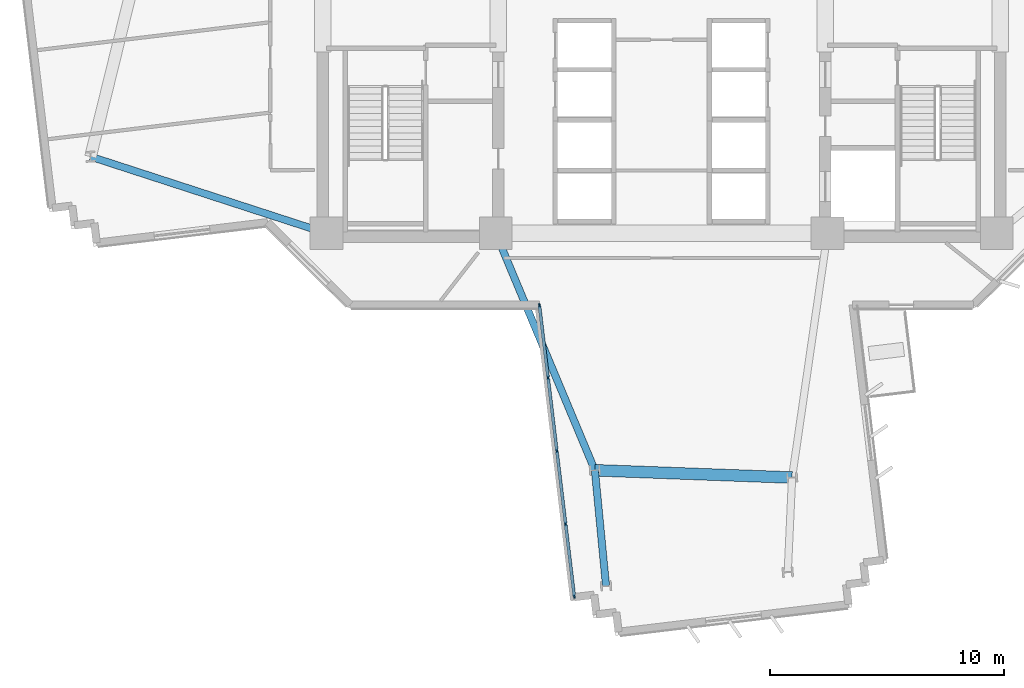
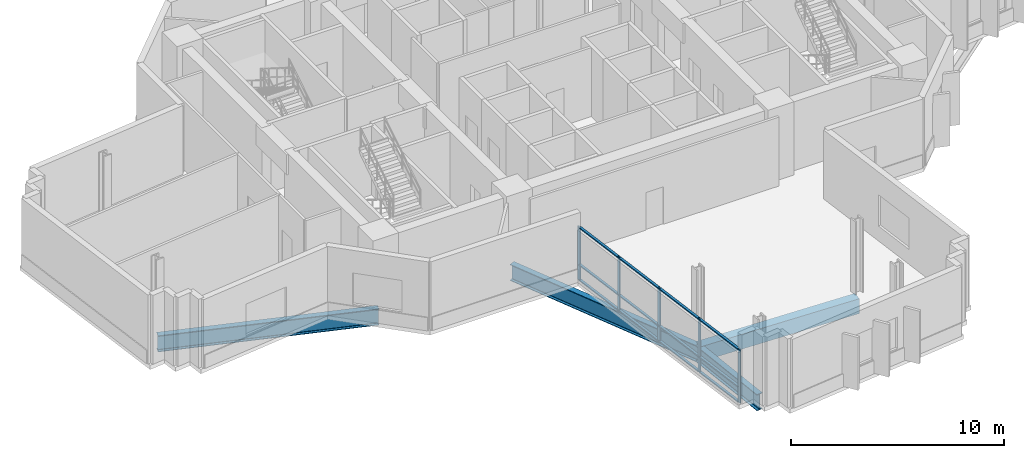
# One storey, part 2 of 15: 17 members, 4 beams, 1 element without a shape of its own.
"""IFC4 building model written with IfcOpenShell, lengths in metres."""

from ifc_helpers import new_model, si_unit, direction, frame, origin, origin_2d, place, context, subcontext, project, spatial, rectangle, i_section, extrude, source, transform, mapped, material, layer, layer_set, material_profile, profile_set, type_object, element, aggregate, save


model = new_model("IFC4")

# Units and contexts
model_context = context("Model", 3, precision=1e-05, world=origin(), true_north=direction((0.0, 1.0)))
body_context = subcontext(model_context, "Body", "Model", "MODEL_VIEW")
ifc_project = project(units=[si_unit("LENGTHUNIT", "METRE"), si_unit("AREAUNIT", "SQUARE_METRE"), si_unit("VOLUMEUNIT", "CUBIC_METRE"), si_unit("PLANEANGLEUNIT", "RADIAN"), si_unit("MASSUNIT", "GRAM", prefix="KILO")], contexts=[model_context])

# Site, building, storey
site_placement = place(None, origin())
site = spatial("IfcSite", under=ifc_project, at=site_placement, CompositionType="ELEMENT")
building_placement = place(site_placement, origin())
building = spatial("IfcBuilding", under=site, at=building_placement, Name="Zahravan Cultural Tower", CompositionType="ELEMENT")
storey_placement = place(building_placement, frame((0.0, 0.0, 108.89990234375)))
storey = spatial("IfcBuildingStorey", under=building, at=storey_placement, Name="L24", CompositionType="ELEMENT", Elevation=108.89990234375)

# Beams
ifc_material_1 = material(Name="Steel ASTM A992 Grade 50", Category="steel")
ifc_material_profile_1 = material_profile(ifc_material_1, i_section(OverallWidth=0.30908203125, OverallDepth=0.931884765625, WebThickness=0.02099609375, FlangeThickness=0.034423828125, FilletRadius=0.02392578125, at=origin_2d()), Name="W36X210")
ifc_profile_set_1 = profile_set([ifc_material_profile_1], Name="Steel ASTM A992 Grade 50")
beam_type_1 = type_object("IfcBeamType", Name="BM-G-W36X210", PredefinedType="BEAM", material=ifc_profile_set_1)
shared_shape_1 = source(origin(), body_context, "Body", "SweptSolid", [
    extrude(i_section(OverallWidth=0.30908203125, OverallDepth=0.931884765625, WebThickness=0.02099609375, FlangeThickness=0.034423828125, FilletRadius=0.02392578125, at=origin_2d()), origin(), (0.0, 0.0, 1.0), 10.615966796875),
])
beam_1_placement = place(storey_placement, frame((21.64990234375, 17.800048828125, -0.7158203125), z_axis=(-0.951063640083, 0.30899506875, 0.0), x_axis=(-0.30899506875, -0.951063640083, 0.0)))
element("IfcBeam", 1, at=beam_1_placement, inside=storey, type_object=beam_type_1, Name="L24 Beam BG-L24-07", PredefinedType="BEAM", context=body_context, shape_type="MappedRepresentation", body=[
    mapped(shared_shape_1, transform((0.0, 0.0, 0.0), x_axis=(1.0, 0.0, 0.0), y_axis=(0.0, 1.0, 0.0), z_axis=(0.0, 0.0, 1.0), scale=1.0)),
])
shared_shape_2 = source(origin(), body_context, "Body", "SweptSolid", [
    extrude(i_section(OverallWidth=0.30908203125, OverallDepth=0.931884765625, WebThickness=0.02099609375, FlangeThickness=0.034423828125, FilletRadius=0.02392578125, at=origin_2d()), origin(), (0.0, 0.0, 1.0), 10.997802734375),
])
beam_2_placement = place(storey_placement, frame((28.89990234375, 17.800048828125, -0.7158203125), z_axis=(0.385775211449, -0.922592806297, 0.0), x_axis=(0.922592806297, 0.385775211449, 0.0)))
element("IfcBeam", 2, at=beam_2_placement, inside=storey, type_object=beam_type_1, Name="L24 Beam BG-L24-08", PredefinedType="BEAM", context=body_context, shape_type="MappedRepresentation", body=[
    mapped(shared_shape_2, transform((0.0, 0.0, 0.0), x_axis=(1.0, 0.0, 0.0), y_axis=(0.0, 1.0, 0.0), z_axis=(0.0, 0.0, 1.0), scale=1.0)),
])
shared_shape_3 = source(origin(), body_context, "Body", "SweptSolid", [
    extrude(i_section(OverallWidth=0.30908203125, OverallDepth=0.931884765625, WebThickness=0.02099609375, FlangeThickness=0.034423828125, FilletRadius=0.02392578125, at=origin_2d()), origin(), (0.0, 0.0, 1.0), 4.973876953125),
])
beam_3_placement = place(storey_placement, frame((33.142578125, 7.653564453125, -0.7158203125), z_axis=(0.096154779131, -0.995366394073, 0.0), x_axis=(0.995366394073, 0.096154779131, 0.0)))
element("IfcBeam", 3, at=beam_3_placement, inside=storey, type_object=beam_type_1, Name="L24 Beam BG-L24-17", PredefinedType="BEAM", context=body_context, shape_type="MappedRepresentation", body=[
    mapped(shared_shape_3, transform((0.0, 0.0, 0.0), x_axis=(1.0, 0.0, 0.0), y_axis=(0.0, 1.0, 0.0), z_axis=(0.0, 0.0, 1.0), scale=1.0)),
])
ifc_material_2 = material(Name="Concrete C50/60", Category="concrete")
ifc_material_profile_2 = material_profile(ifc_material_2, rectangle(XDim=0.5, YDim=0.85009765625, at=origin_2d()), Name="RC500X850")
ifc_profile_set_2 = profile_set([ifc_material_profile_2], Name="Concrete C50/60")
beam_type_2 = type_object("IfcBeamType", Name="BM-SP-RC500X850", PredefinedType="SPANDREL", material=ifc_profile_set_2)
shared_shape_4 = source(origin(), body_context, "Body", "SweptSolid", [
    extrude(rectangle(XDim=0.5, YDim=0.85009765625, at=origin_2d()), origin(), (0.0, 0.0, 1.0), 8.4482421875),
])
beam_4_placement = place(storey_placement, frame((33.142578125, 7.653564453125, -0.6748046875), z_axis=(0.999318826256, -0.036903705643, 0.0), x_axis=(0.036903705643, 0.999318826256, 0.0)))
element("IfcBeam", 4, at=beam_4_placement, inside=storey, type_object=beam_type_2, Name="L24 Beam SP-L24-19", PredefinedType="SPANDREL", context=body_context, shape_type="MappedRepresentation", body=[
    mapped(shared_shape_4, transform((0.0, 0.0, 0.0), x_axis=(1.0, 0.0, 0.0), y_axis=(0.0, 1.0, 0.0), z_axis=(0.0, 0.0, 1.0), scale=1.0)),
])

# Curtain wall, members
ifc_material_3 = material(Name="Anodised bronze-aluminium mullion", Category="aluminium")
ifc_layer = layer(ifc_material_3, 0.1650390625)
ifc_layer_set = layer_set([ifc_layer], Name="Anodised bronze-aluminium mullion")
curtain_wall_type = type_object("IfcCurtainWallType", Name="CW-SYS-4", PredefinedType="USERDEFINED", material=ifc_layer_set)
curtain_wall_placement = place(storey_placement, origin())
curtain_wall = element("IfcCurtainWall", 5, at=curtain_wall_placement, inside=storey, type_object=curtain_wall_type, Name="L24 Recessed Curtain Wall CW-4.1", ObjectType="RECESSED GLAZING", PredefinedType="USERDEFINED")
ifc_material_profile_3 = material_profile(ifc_material_3, rectangle(XDim=0.06494140625, YDim=0.1650390625, at=origin_2d()), Name="AL-M65X165")
ifc_profile_set_3 = profile_set([ifc_material_profile_3], Name="Anodised bronze-aluminium mullion")
member_type_1 = type_object("IfcMemberType", Name="CWM-CW-4", PredefinedType="MULLION", material=ifc_profile_set_3)
shared_shape_5 = source(origin(), body_context, "Body", "SweptSolid", [
    extrude(rectangle(XDim=0.06494140625, YDim=0.1650390625, at=origin_2d()), origin(), (0.0, 0.0, 1.0), 3.070068359375),
])
member_1_placement = place(storey_placement, frame((32.260986328125, 2.2509765625, 0.0), z_axis=(0.0, 0.0, 1.0), x_axis=(-0.992882878226, -0.11909487867, 0.0)))
member_1 = element("IfcMember", 6, at=member_1_placement, type_object=member_type_1, Name="CW-4 mullion 1", PredefinedType="MULLION", context=body_context, shape_type="MappedRepresentation", body=[
    mapped(shared_shape_5, transform((0.0, 0.0, 0.0), x_axis=(1.0, 0.0, 0.0), y_axis=(0.0, 1.0, 0.0), z_axis=(0.0, 0.0, 1.0), scale=1.0)),
])
member_2_placement = place(storey_placement, frame((31.889404296875, 5.34912109375, 0.0), z_axis=(0.0, 0.0, 1.0), x_axis=(-0.992882878226, -0.11909487867, 0.0)))
member_2 = element("IfcMember", 7, at=member_2_placement, type_object=member_type_1, Name="CW-4 mullion 2", PredefinedType="MULLION", context=body_context, shape_type="MappedRepresentation", body=[
    mapped(shared_shape_5, transform((0.0, 0.0, 0.0), x_axis=(1.0, 0.0, 0.0), y_axis=(0.0, 1.0, 0.0), z_axis=(0.0, 0.0, 1.0), scale=1.0)),
])
member_3_placement = place(storey_placement, frame((31.513916015625, 8.4794921875, 0.0), z_axis=(0.0, 0.0, 1.0), x_axis=(-0.992882878226, -0.11909487867, 0.0)))
member_3 = element("IfcMember", 8, at=member_3_placement, type_object=member_type_1, Name="CW-4 mullion 3", PredefinedType="MULLION", context=body_context, shape_type="MappedRepresentation", body=[
    mapped(shared_shape_5, transform((0.0, 0.0, 0.0), x_axis=(1.0, 0.0, 0.0), y_axis=(0.0, 1.0, 0.0), z_axis=(0.0, 0.0, 1.0), scale=1.0)),
])
member_4_placement = place(storey_placement, frame((31.138427734375, 11.609619140625, 0.0), z_axis=(0.0, 0.0, 1.0), x_axis=(-0.992882878226, -0.11909487867, 0.0)))
member_4 = element("IfcMember", 9, at=member_4_placement, type_object=member_type_1, Name="CW-4 mullion 4", PredefinedType="MULLION", context=body_context, shape_type="MappedRepresentation", body=[
    mapped(shared_shape_5, transform((0.0, 0.0, 0.0), x_axis=(1.0, 0.0, 0.0), y_axis=(0.0, 1.0, 0.0), z_axis=(0.0, 0.0, 1.0), scale=1.0)),
])
member_5_placement = place(storey_placement, frame((30.766845703125, 14.707763671875, 0.0), z_axis=(0.0, 0.0, 1.0), x_axis=(-0.992882878226, -0.11909487867, 0.0)))
member_5 = element("IfcMember", 10, at=member_5_placement, type_object=member_type_1, Name="CW-4 mullion 5", PredefinedType="MULLION", context=body_context, shape_type="MappedRepresentation", body=[
    mapped(shared_shape_5, transform((0.0, 0.0, 0.0), x_axis=(1.0, 0.0, 0.0), y_axis=(0.0, 1.0, 0.0), z_axis=(0.0, 0.0, 1.0), scale=1.0)),
])
ifc_material_profile_4 = material_profile(ifc_material_3, rectangle(XDim=0.1298828125, YDim=0.06494140625, at=origin_2d()), Name="AL-T65X130")
ifc_profile_set_4 = profile_set([ifc_material_profile_4], Name="Anodised bronze-aluminium mullion")
member_type_2 = type_object("IfcMemberType", Name="CWT-CW-4", PredefinedType="USERDEFINED", material=ifc_profile_set_4)
shared_shape_6 = source(origin(), body_context, "Body", "SweptSolid", [
    extrude(rectangle(XDim=0.1298828125, YDim=0.06494140625, at=origin_2d()), origin(), (0.0, 0.0, 1.0), 3.05517578125),
])
member_6_placement = place(storey_placement, frame((32.257080078125, 2.283447265625, 0.03271484375), z_axis=(-0.119066444252, 0.992886288481, 0.0), x_axis=(-0.992886288481, -0.119066444252, 0.0)))
member_6 = element("IfcMember", 11, at=member_6_placement, type_object=member_type_2, Name="CW-4 transom 1.1", ObjectType="TRANSOM", PredefinedType="USERDEFINED", context=body_context, shape_type="MappedRepresentation", body=[
    mapped(shared_shape_6, transform((0.0, 0.0, 0.0), x_axis=(1.0, 0.0, 0.0), y_axis=(0.0, 1.0, 0.0), z_axis=(0.0, 0.0, 1.0), scale=1.0)),
])
member_7_placement = place(storey_placement, frame((32.257080078125, 2.283447265625, 0.900146484375), z_axis=(-0.119066444252, 0.992886288481, 0.0), x_axis=(-0.992886288481, -0.119066444252, 0.0)))
member_7 = element("IfcMember", 12, at=member_7_placement, type_object=member_type_2, Name="CW-4 transom 1.2", ObjectType="TRANSOM", PredefinedType="USERDEFINED", context=body_context, shape_type="MappedRepresentation", body=[
    mapped(shared_shape_6, transform((0.0, 0.0, 0.0), x_axis=(1.0, 0.0, 0.0), y_axis=(0.0, 1.0, 0.0), z_axis=(0.0, 0.0, 1.0), scale=1.0)),
])
member_8_placement = place(storey_placement, frame((32.257080078125, 2.283447265625, 3.03759765625), z_axis=(-0.119066444252, 0.992886288481, 0.0), x_axis=(-0.992886288481, -0.119066444252, 0.0)))
member_8 = element("IfcMember", 13, at=member_8_placement, type_object=member_type_2, Name="CW-4 transom 1.3", ObjectType="TRANSOM", PredefinedType="USERDEFINED", context=body_context, shape_type="MappedRepresentation", body=[
    mapped(shared_shape_6, transform((0.0, 0.0, 0.0), x_axis=(1.0, 0.0, 0.0), y_axis=(0.0, 1.0, 0.0), z_axis=(0.0, 0.0, 1.0), scale=1.0)),
])
member_9_placement = place(storey_placement, frame((31.134521484375, 11.64208984375, 0.03271484375), z_axis=(-0.119066444252, 0.992886288481, 0.0), x_axis=(-0.992886288481, -0.119066444252, 0.0)))
member_9 = element("IfcMember", 14, at=member_9_placement, type_object=member_type_2, Name="CW-4 transom 4.1", ObjectType="TRANSOM", PredefinedType="USERDEFINED", context=body_context, shape_type="MappedRepresentation", body=[
    mapped(shared_shape_6, transform((0.0, 0.0, 0.0), x_axis=(1.0, 0.0, 0.0), y_axis=(0.0, 1.0, 0.0), z_axis=(0.0, 0.0, 1.0), scale=1.0)),
])
member_10_placement = place(storey_placement, frame((31.134521484375, 11.64208984375, 0.900146484375), z_axis=(-0.119066444252, 0.992886288481, 0.0), x_axis=(-0.992886288481, -0.119066444252, 0.0)))
member_10 = element("IfcMember", 15, at=member_10_placement, type_object=member_type_2, Name="CW-4 transom 4.2", ObjectType="TRANSOM", PredefinedType="USERDEFINED", context=body_context, shape_type="MappedRepresentation", body=[
    mapped(shared_shape_6, transform((0.0, 0.0, 0.0), x_axis=(1.0, 0.0, 0.0), y_axis=(0.0, 1.0, 0.0), z_axis=(0.0, 0.0, 1.0), scale=1.0)),
])
member_11_placement = place(storey_placement, frame((31.134521484375, 11.64208984375, 3.03759765625), z_axis=(-0.119066444252, 0.992886288481, 0.0), x_axis=(-0.992886288481, -0.119066444252, 0.0)))
member_11 = element("IfcMember", 16, at=member_11_placement, type_object=member_type_2, Name="CW-4 transom 4.3", ObjectType="TRANSOM", PredefinedType="USERDEFINED", context=body_context, shape_type="MappedRepresentation", body=[
    mapped(shared_shape_6, transform((0.0, 0.0, 0.0), x_axis=(1.0, 0.0, 0.0), y_axis=(0.0, 1.0, 0.0), z_axis=(0.0, 0.0, 1.0), scale=1.0)),
])
shared_shape_7 = source(origin(), body_context, "Body", "SweptSolid", [
    extrude(rectangle(XDim=0.1298828125, YDim=0.06494140625, at=origin_2d()), origin(), (0.0, 0.0, 1.0), 3.087646484375),
])
member_12_placement = place(storey_placement, frame((31.885498046875, 5.38134765625, 0.03271484375), z_axis=(-0.119079744235, 0.992884693463, 0.0), x_axis=(-0.992884693463, -0.119079744235, 0.0)))
member_12 = element("IfcMember", 17, at=member_12_placement, type_object=member_type_2, Name="CW-4 transom 2.1", ObjectType="TRANSOM", PredefinedType="USERDEFINED", context=body_context, shape_type="MappedRepresentation", body=[
    mapped(shared_shape_7, transform((0.0, 0.0, 0.0), x_axis=(1.0, 0.0, 0.0), y_axis=(0.0, 1.0, 0.0), z_axis=(0.0, 0.0, 1.0), scale=1.0)),
])
member_13_placement = place(storey_placement, frame((31.885498046875, 5.38134765625, 0.900146484375), z_axis=(-0.119079744235, 0.992884693463, 0.0), x_axis=(-0.992884693463, -0.119079744235, 0.0)))
member_13 = element("IfcMember", 18, at=member_13_placement, type_object=member_type_2, Name="CW-4 transom 2.2", ObjectType="TRANSOM", PredefinedType="USERDEFINED", context=body_context, shape_type="MappedRepresentation", body=[
    mapped(shared_shape_7, transform((0.0, 0.0, 0.0), x_axis=(1.0, 0.0, 0.0), y_axis=(0.0, 1.0, 0.0), z_axis=(0.0, 0.0, 1.0), scale=1.0)),
])
member_14_placement = place(storey_placement, frame((31.885498046875, 5.38134765625, 3.03759765625), z_axis=(-0.119079744235, 0.992884693463, 0.0), x_axis=(-0.992884693463, -0.119079744235, 0.0)))
member_14 = element("IfcMember", 19, at=member_14_placement, type_object=member_type_2, Name="CW-4 transom 2.3", ObjectType="TRANSOM", PredefinedType="USERDEFINED", context=body_context, shape_type="MappedRepresentation", body=[
    mapped(shared_shape_7, transform((0.0, 0.0, 0.0), x_axis=(1.0, 0.0, 0.0), y_axis=(0.0, 1.0, 0.0), z_axis=(0.0, 0.0, 1.0), scale=1.0)),
])
member_15_placement = place(storey_placement, frame((31.510009765625, 8.51171875, 0.03271484375), z_axis=(-0.119079744235, 0.992884693463, 0.0), x_axis=(-0.992884693463, -0.119079744235, 0.0)))
member_15 = element("IfcMember", 20, at=member_15_placement, type_object=member_type_2, Name="CW-4 transom 3.1", ObjectType="TRANSOM", PredefinedType="USERDEFINED", context=body_context, shape_type="MappedRepresentation", body=[
    mapped(shared_shape_7, transform((0.0, 0.0, 0.0), x_axis=(1.0, 0.0, 0.0), y_axis=(0.0, 1.0, 0.0), z_axis=(0.0, 0.0, 1.0), scale=1.0)),
])
member_16_placement = place(storey_placement, frame((31.510009765625, 8.51171875, 0.900146484375), z_axis=(-0.119079744235, 0.992884693463, 0.0), x_axis=(-0.992884693463, -0.119079744235, 0.0)))
member_16 = element("IfcMember", 21, at=member_16_placement, type_object=member_type_2, Name="CW-4 transom 3.2", ObjectType="TRANSOM", PredefinedType="USERDEFINED", context=body_context, shape_type="MappedRepresentation", body=[
    mapped(shared_shape_7, transform((0.0, 0.0, 0.0), x_axis=(1.0, 0.0, 0.0), y_axis=(0.0, 1.0, 0.0), z_axis=(0.0, 0.0, 1.0), scale=1.0)),
])
member_17_placement = place(storey_placement, frame((31.510009765625, 8.51171875, 3.03759765625), z_axis=(-0.119079744235, 0.992884693463, 0.0), x_axis=(-0.992884693463, -0.119079744235, 0.0)))
member_17 = element("IfcMember", 22, at=member_17_placement, type_object=member_type_2, Name="CW-4 transom 3.3", ObjectType="TRANSOM", PredefinedType="USERDEFINED", context=body_context, shape_type="MappedRepresentation", body=[
    mapped(shared_shape_7, transform((0.0, 0.0, 0.0), x_axis=(1.0, 0.0, 0.0), y_axis=(0.0, 1.0, 0.0), z_axis=(0.0, 0.0, 1.0), scale=1.0)),
])
aggregate(curtain_wall, [member_1, member_2, member_3, member_4, member_5, member_6, member_7, member_8, member_12, member_13, member_14, member_15, member_16, member_17, member_9, member_10, member_11])

save(model, "model.ifc")
